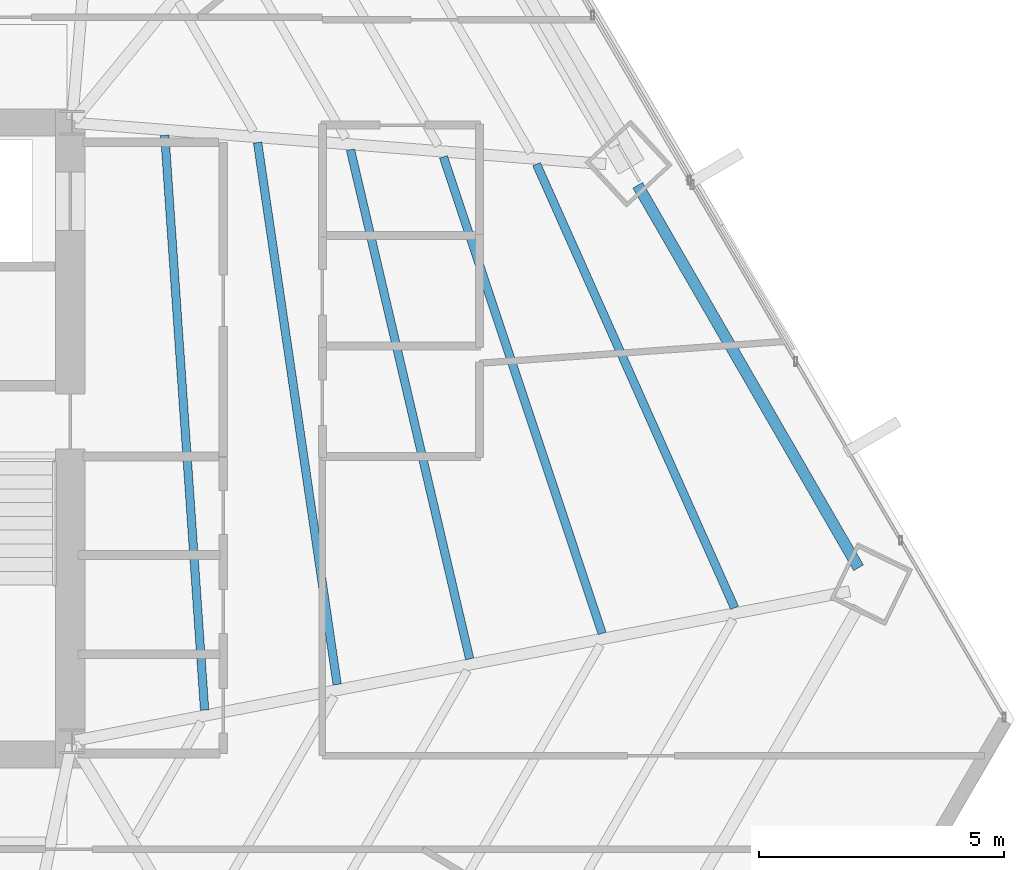
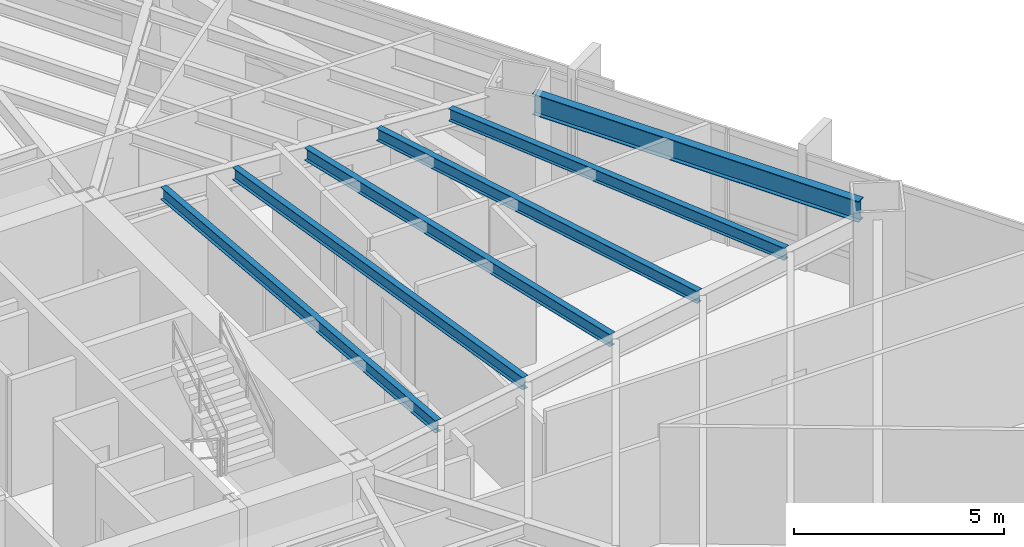
# One storey, part 17 of 33: 6 beams.
"""IFC4 building model written with IfcOpenShell, lengths in metres."""

from ifc_helpers import new_model, si_unit, direction, frame, origin, origin_2d, place, context, subcontext, project, spatial, i_section, extrude, source, transform, mapped, material, material_profile, profile_set, type_object, type_shapes, element, save


model = new_model("IFC4")

# Units and contexts
model_context = context("Model", 3, precision=1e-05, world=origin(), true_north=direction((0.0, 1.0)))
body_context = subcontext(model_context, "Body", "Model", "MODEL_VIEW")
ifc_project = project(units=[si_unit("LENGTHUNIT", "METRE"), si_unit("AREAUNIT", "SQUARE_METRE"), si_unit("VOLUMEUNIT", "CUBIC_METRE"), si_unit("PLANEANGLEUNIT", "RADIAN"), si_unit("MASSUNIT", "GRAM", prefix="KILO")], contexts=[model_context])

# Site, building, storey
site_placement = place(None, origin())
site = spatial("IfcSite", under=ifc_project, at=site_placement, CompositionType="ELEMENT")
building_placement = place(site_placement, origin())
building = spatial("IfcBuilding", under=site, at=building_placement, Name="Caelisora Broadcast Tower", CompositionType="ELEMENT")
storey_placement = place(building_placement, frame((0.0, 0.0, 42.199951171875)))
storey = spatial("IfcBuildingStorey", under=building, at=storey_placement, Name="L10", CompositionType="ELEMENT", Elevation=42.199951171875)

# Beams
ifc_material = material(Name="Steel Grade 350 (AS/NZS 3679.1)", Category="steel")
ifc_material_profile_1 = material_profile(ifc_material, i_section(OverallWidth=0.172119140625, OverallDepth=0.358642578125, WebThickness=0.008056640625, FlangeThickness=0.012939453125, at=origin_2d()), Name="Steel Grade 350 (AS/NZS 3679.1)")
ifc_profile_set_1 = profile_set([ifc_material_profile_1], Name="Steel Grade 350 (AS/NZS 3679.1)")
beam_type_1 = type_object("IfcBeamType", Name="SB02", PredefinedType="JOIST", material=ifc_profile_set_1)
shared_shape_1 = source(origin(), body_context, "Body", "SweptSolid", [
    extrude(i_section(OverallWidth=0.172119140625, OverallDepth=0.358642578125, WebThickness=0.008056640625, FlangeThickness=0.012939453125, at=origin_2d()), origin(), (0.0, 0.0, 1.0), 11.736328125),
])
beam_1_placement = place(storey_placement, frame((48.201171875, 18.033935546875, 3.220703125), z_axis=(-0.069104790715, 0.997609406481, 0.0), x_axis=(-0.997609406481, -0.069104790715, 0.0)))
element("IfcBeam", 1, at=beam_1_placement, inside=storey, type_object=beam_type_1, Name="L10 beam SB02", PredefinedType="JOIST", context=body_context, shape_type="MappedRepresentation", body=[
    mapped(shared_shape_1, transform((0.0, 0.0, 0.0), scale=1.0)),
])
ifc_material_profile_2 = material_profile(ifc_material, i_section(OverallWidth=0.22900390625, OverallDepth=0.611572265625, WebThickness=0.011962890625, FlangeThickness=0.01953125, at=origin_2d()), Name="Steel Grade 350 (AS/NZS 3679.1)")
ifc_profile_set_2 = profile_set([ifc_material_profile_2], Name="Steel Grade 350 (AS/NZS 3679.1)")
beam_type_2 = type_object("IfcBeamType", Name="PG03", PredefinedType="BEAM", material=ifc_profile_set_2)
shared_shape_2 = source(origin(), body_context, "Body", "SweptSolid", [
    extrude(i_section(OverallWidth=0.22900390625, OverallDepth=0.611572265625, WebThickness=0.011962890625, FlangeThickness=0.01953125, at=origin_2d()), origin(), (0.0, 0.0, 1.0), 8.99853515625),
])
type_shapes(beam_type_2, [shared_shape_2])
beam_2_placement = place(storey_placement, frame((61.523681640625, 20.932861328125, 3.09423828125), z_axis=(-0.499999580976, 0.866025645708, 0.0), x_axis=(-0.866025645708, -0.499999580976, 0.0)))
element("IfcBeam", 2, at=beam_2_placement, inside=storey, type_object=beam_type_2, Name="L10 beam PG03", PredefinedType="BEAM", context=body_context, shape_type="MappedRepresentation", body=[
    mapped(shared_shape_2, transform((0.0, 0.0, 0.0), scale=1.0)),
])
shared_shape_3 = source(origin(), body_context, "Body", "SweptSolid", [
    extrude(i_section(OverallWidth=0.172119140625, OverallDepth=0.358642578125, WebThickness=0.008056640625, FlangeThickness=0.012939453125, at=origin_2d()), origin(), (0.0, 0.0, 1.0), 11.1591796875),
])
beam_3_placement = place(storey_placement, frame((50.90185546875, 18.5546875, 3.220703125), z_axis=(-0.145227556419, 0.989398280197, 0.0), x_axis=(-0.989398280197, -0.145227556419, 0.0)))
element("IfcBeam", 3, at=beam_3_placement, inside=storey, type_object=beam_type_1, Name="L10 beam SB02", PredefinedType="JOIST", context=body_context, shape_type="MappedRepresentation", body=[
    mapped(shared_shape_3, transform((0.0, 0.0, 0.0), scale=1.0)),
])
shared_shape_4 = source(origin(), body_context, "Body", "SweptSolid", [
    extrude(i_section(OverallWidth=0.172119140625, OverallDepth=0.358642578125, WebThickness=0.008056640625, FlangeThickness=0.012939453125, at=origin_2d()), origin(), (0.0, 0.0, 1.0), 10.6533203125),
])
beam_4_placement = place(storey_placement, frame((53.6015625, 19.075439453125, 3.220703125), z_axis=(-0.227906193889, 0.973683093613, 0.0), x_axis=(-0.973683093613, -0.227906193889, 0.0)))
element("IfcBeam", 4, at=beam_4_placement, inside=storey, type_object=beam_type_1, Name="L10 beam SB02", PredefinedType="JOIST", context=body_context, shape_type="MappedRepresentation", body=[
    mapped(shared_shape_4, transform((0.0, 0.0, 0.0), scale=1.0)),
])
shared_shape_5 = source(origin(), body_context, "Body", "SweptSolid", [
    extrude(i_section(OverallWidth=0.172119140625, OverallDepth=0.358642578125, WebThickness=0.008056640625, FlangeThickness=0.012939453125, at=origin_2d()), origin(), (0.0, 0.0, 1.0), 10.22998046875),
])
beam_5_placement = place(storey_placement, frame((56.30029296875, 19.595947265625, 3.220703125), z_axis=(-0.31599865121, 0.948759638915, 0.0), x_axis=(-0.948759638915, -0.31599865121, 0.0)))
element("IfcBeam", 5, at=beam_5_placement, inside=storey, type_object=beam_type_1, Name="L10 beam SB02", PredefinedType="JOIST", context=body_context, shape_type="MappedRepresentation", body=[
    mapped(shared_shape_5, transform((0.0, 0.0, 0.0), scale=1.0)),
])
shared_shape_6 = source(origin(), body_context, "Body", "SweptSolid", [
    extrude(i_section(OverallWidth=0.172119140625, OverallDepth=0.358642578125, WebThickness=0.008056640625, FlangeThickness=0.012939453125, at=origin_2d()), origin(), (0.0, 0.0, 1.0), 9.89794921875),
])
type_shapes(beam_type_1, [shared_shape_1, shared_shape_3, shared_shape_4, shared_shape_5, shared_shape_6])
beam_6_placement = place(storey_placement, frame((58.998291015625, 20.1162109375, 3.220703125), z_axis=(-0.407625499005, 0.913149195127, 0.0), x_axis=(-0.913149195127, -0.407625499005, 0.0)))
element("IfcBeam", 6, at=beam_6_placement, inside=storey, type_object=beam_type_1, Name="L10 beam SB02", PredefinedType="JOIST", context=body_context, shape_type="MappedRepresentation", body=[
    mapped(shared_shape_6, transform((0.0, 0.0, 0.0), scale=1.0)),
])

save(model, "model.ifc")
